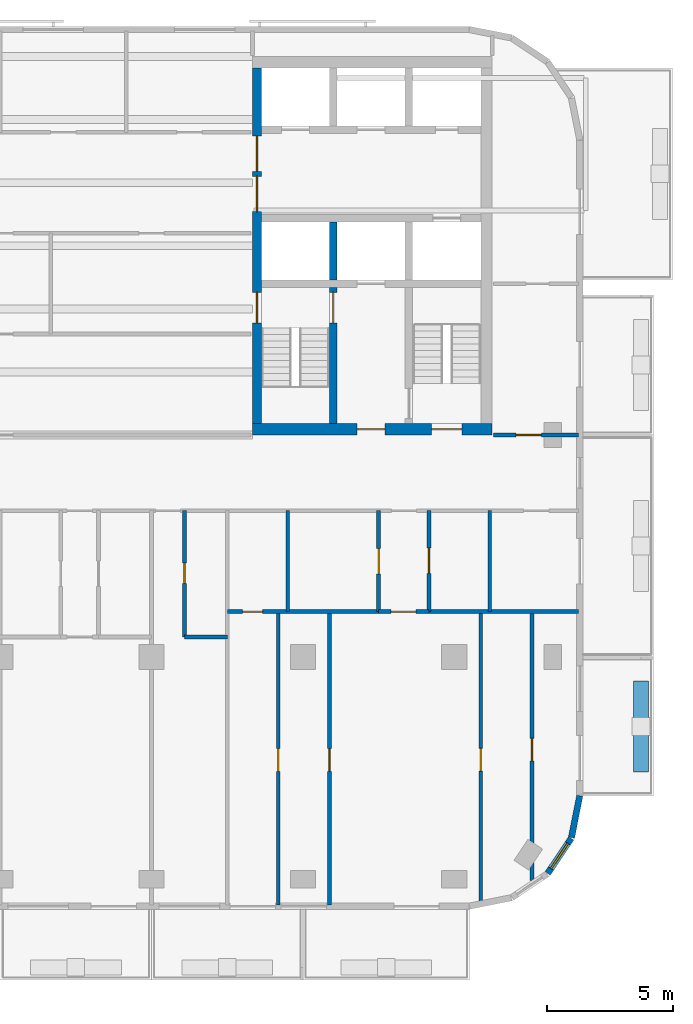
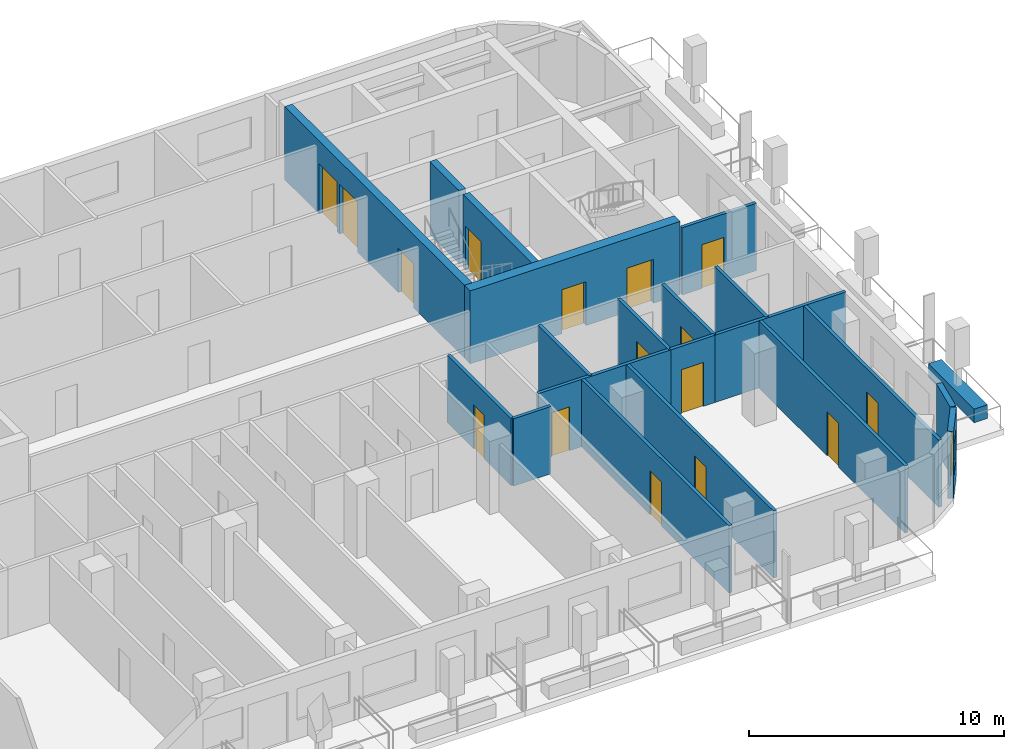
# One storey, part 5 of 11: 21 walls, 16 doors, 1 window, 17 openings.
"""IFC4 building model written with IfcOpenShell, lengths in metres."""

from ifc_helpers import new_model, si_unit, direction, frame, frame_2d, origin, place, context, subcontext, project, spatial, rectangle, extrude, material, layer, layer_set, type_object, element, fill, save


model = new_model("IFC4")

# Units and contexts
model_context = context("Model", 3, precision=1e-05, world=origin(), true_north=direction((0.0, 1.0)))
body_context = subcontext(model_context, "Body", "Model", "MODEL_VIEW")
ifc_project = project(units=[si_unit("LENGTHUNIT", "METRE"), si_unit("AREAUNIT", "SQUARE_METRE"), si_unit("VOLUMEUNIT", "CUBIC_METRE"), si_unit("PLANEANGLEUNIT", "RADIAN"), si_unit("MASSUNIT", "GRAM", prefix="KILO")], contexts=[model_context])

# Site, building, storey
site_placement = place(None, origin())
site = spatial("IfcSite", under=ifc_project, at=site_placement, CompositionType="ELEMENT")
building_placement = place(site_placement, origin())
building = spatial("IfcBuilding", under=site, at=building_placement, Name="Torana Hotel and Residences", CompositionType="ELEMENT")
storey_placement = place(building_placement, frame((0.0, 0.0, 270.10009765625)))
storey = spatial("IfcBuildingStorey", under=building, at=storey_placement, Name="L71", CompositionType="ELEMENT", Elevation=270.10009765625)

# Wall
ifc_material_1 = material(Name="Concrete C60/75", Category="concrete")
ifc_layer_1 = layer(ifc_material_1, 0.300048828125)
ifc_layer_set_1 = layer_set([ifc_layer_1], Name="CORE WALL 300 C60/75")
wall_type_1 = type_object("IfcWallType", Name="CORE WALL 300 C60/75", PredefinedType="SHEAR", material=ifc_layer_set_1)
wall_1_placement = place(storey_placement, frame((13.199951171875, -8.85009765625, 0.0), z_axis=(0.0, 0.0, 1.0), x_axis=(0.0, 1.0, 0.0)))
element("IfcWall", 1, at=wall_1_placement, inside=storey, type_object=wall_type_1, Name="Core wall E x3.05-S", PredefinedType="SHEAR", context=body_context, shape_type="SweptSolid", body=[
    extrude(rectangle(XDim=2.300048828125, YDim=0.300048828125, at=frame_2d((1.14990234375, 0.0))), origin(), (0.0, 0.0, 1.0), 3.5),
])

# Wall, opening, door
wall_2_placement = place(storey_placement, frame((13.199951171875, -14.550048828125, 0.0), z_axis=(0.0, 0.0, 1.0), x_axis=(0.0, 1.0, 0.0)))
wall_2 = element("IfcWall", 2, at=wall_2_placement, inside=storey, type_object=wall_type_1, Name="Core wall E x3.05-band", PredefinedType="SHEAR", context=body_context, shape_type="SweptSolid", body=[
    extrude(rectangle(XDim=5.400146484375, YDim=0.300048828125, at=frame_2d((2.7001953125, 0.0))), origin(), (0.0, 0.0, 1.0), 3.5),
])
opening_1_placement = place(wall_2_placement, frame((4.0, 0.0, 0.0)))
opening_1 = element("IfcOpeningElement", 3, at=opening_1_placement, cuts=wall_2, Name="Opening L71-15", PredefinedType="OPENING", context=body_context, shape_type="SweptSolid", body=[
    extrude(rectangle(XDim=1.199951171875, YDim=2.10009765625, at=frame_2d((0.60009765625, 1.050048828125))), frame((0.0, 0.159912109375, 0.0), z_axis=(0.0, -1.0, 0.0), x_axis=(1.0, 0.0, 0.0)), (0.0, 0.0, 1.0), 0.320068359375),
])
ifc_material_2 = material(Name="Steel S235", Category="steel")
door_type_1 = type_object("IfcDoorType", Name="STAIR FIRE DOOR D3 1200x2100", OperationType="SINGLE_SWING_LEFT", PredefinedType="DOOR", material=ifc_material_2)
door_1_placement = place(opening_1_placement, origin())
door_1 = element("IfcDoor", 4, at=door_1_placement, inside=storey, type_object=door_type_1, Name="Stair-A-lobby door L71", OperationType="SINGLE_SWING_LEFT", OverallHeight=2.10009765625, OverallWidth=1.199951171875, PredefinedType="DOOR", context=body_context, shape_type="SweptSolid", body=[
    extrude(rectangle(XDim=1.199951171875, YDim=2.10009765625, at=frame_2d((0.60009765625, 1.050048828125))), frame((0.0, 0.02490234375, 0.0), z_axis=(0.0, -1.0, 0.0), x_axis=(1.0, 0.0, 0.0)), (0.0, 0.0, 1.0), 0.050048828125),
])
fill(opening_1, door_1)

# Wall, openings, doors
ifc_material_3 = material(Name="Concrete C60/75", Category="concrete")
ifc_layer_2 = layer(ifc_material_3, 0.35009765625)
ifc_layer_set_2 = layer_set([ifc_layer_2], Name="CORE WALL 350 C60/75")
wall_type_2 = type_object("IfcWallType", Name="CORE WALL 350 C60/75", PredefinedType="SHEAR", material=ifc_layer_set_2)
wall_3_placement = place(storey_placement, frame((10.175048828125, -14.550048828125, 0.0), z_axis=(0.0, 0.0, 1.0), x_axis=(0.0, 1.0, 0.0)))
wall_3 = element("IfcWall", 5, at=wall_3_placement, inside=storey, type_object=wall_type_2, Name="Core wall E arch", PredefinedType="SHEAR", context=body_context, shape_type="SweptSolid", body=[
    extrude(rectangle(XDim=14.10009765625, YDim=0.35009765625, at=frame_2d((7.050048828125, 0.0))), origin(), (0.0, 0.0, 1.0), 3.5),
])
opening_2_placement = place(wall_3_placement, frame((8.39990234375, 0.0, 0.0)))
opening_2 = element("IfcOpeningElement", 6, at=opening_2_placement, cuts=wall_3, Name="Opening L71-09", PredefinedType="OPENING", context=body_context, shape_type="SweptSolid", body=[
    extrude(rectangle(XDim=1.39990234375, YDim=2.39990234375, at=frame_2d((0.699951171875, 1.199951171875))), frame((0.0, 0.18505859375, 0.0), z_axis=(0.0, -1.0, 0.0), x_axis=(1.0, 0.0, 0.0)), (0.0, 0.0, 1.0), 0.3701171875),
])
opening_3_placement = place(wall_3_placement, frame((10.0, 0.0, 0.0)))
opening_3 = element("IfcOpeningElement", 7, at=opening_3_placement, cuts=wall_3, Name="Opening L71-10", PredefinedType="OPENING", context=body_context, shape_type="SweptSolid", body=[
    extrude(rectangle(XDim=1.39990234375, YDim=2.39990234375, at=frame_2d((0.699951171875, 1.199951171875))), frame((0.0, 0.18505859375, 0.0), z_axis=(0.0, -1.0, 0.0), x_axis=(1.0, 0.0, 0.0)), (0.0, 0.0, 1.0), 0.3701171875),
])
opening_4_placement = place(wall_3_placement, frame((4.0, 0.0, 0.0)))
opening_4 = element("IfcOpeningElement", 8, at=opening_4_placement, cuts=wall_3, Name="Opening L71-11", PredefinedType="OPENING", context=body_context, shape_type="SweptSolid", body=[
    extrude(rectangle(XDim=1.199951171875, YDim=2.10009765625, at=frame_2d((0.60009765625, 1.050048828125))), frame((0.0, 0.18505859375, 0.0), z_axis=(0.0, -1.0, 0.0), x_axis=(1.0, 0.0, 0.0)), (0.0, 0.0, 1.0), 0.3701171875),
])
ifc_material_4 = material(Name="Steel S235", Category="steel")
door_type_2 = type_object("IfcDoorType", Name="LOBBY FIRE DOOR D4 1400x2400", OperationType="DOUBLE_DOOR_SINGLE_SWING", PredefinedType="DOOR", material=ifc_material_4)
door_2_placement = place(opening_2_placement, origin())
door_2 = element("IfcDoor", 9, at=door_2_placement, inside=storey, type_object=door_type_2, Name="Lobby-1 door L71", OperationType="DOUBLE_DOOR_SINGLE_SWING", OverallHeight=2.39990234375, OverallWidth=1.39990234375, PredefinedType="DOOR", context=body_context, shape_type="SweptSolid", body=[
    extrude(rectangle(XDim=1.39990234375, YDim=2.39990234375, at=frame_2d((0.699951171875, 1.199951171875))), frame((0.0, 0.02490234375, 0.0), z_axis=(0.0, -1.0, 0.0), x_axis=(1.0, 0.0, 0.0)), (0.0, 0.0, 1.0), 0.050048828125),
])
fill(opening_2, door_2)
door_3_placement = place(opening_3_placement, origin())
door_3 = element("IfcDoor", 10, at=door_3_placement, inside=storey, type_object=door_type_2, Name="Lobby-2 door L71", OperationType="DOUBLE_DOOR_SINGLE_SWING", OverallHeight=2.39990234375, OverallWidth=1.39990234375, PredefinedType="DOOR", context=body_context, shape_type="SweptSolid", body=[
    extrude(rectangle(XDim=1.39990234375, YDim=2.39990234375, at=frame_2d((0.699951171875, 1.199951171875))), frame((0.0, 0.02490234375, 0.0), z_axis=(0.0, -1.0, 0.0), x_axis=(1.0, 0.0, 0.0)), (0.0, 0.0, 1.0), 0.050048828125),
])
fill(opening_3, door_3)
door_4_placement = place(opening_4_placement, frame((0.60009765625, 0.0, 0.0), z_axis=(0.0, 0.0, 1.0), x_axis=(-1.0, 0.0, 0.0)))
door_4 = element("IfcDoor", 11, at=door_4_placement, inside=storey, type_object=door_type_1, Name="Stair-A door L71", OperationType="SINGLE_SWING_RIGHT", OverallHeight=2.10009765625, OverallWidth=1.199951171875, PredefinedType="DOOR", context=body_context, shape_type="SweptSolid", body=[
    extrude(rectangle(XDim=1.199951171875, YDim=2.10009765625, at=frame_2d((0.0, 1.050048828125))), frame((0.0, -0.02490234375, 0.0), z_axis=(0.0, 1.0, 0.0), x_axis=(-1.0, 0.0, 0.0)), (0.0, 0.0, 1.0), 0.050048828125),
])
fill(opening_4, door_4)

ifc_material_5 = material(Name="Concrete C60/75", Category="concrete")
ifc_layer_3 = layer(ifc_material_5, 0.449951171875)
ifc_layer_set_3 = layer_set([ifc_layer_3], Name="CORE WALL 450 C60/75")
wall_type_3 = type_object("IfcWallType", Name="CORE WALL 450 C60/75", PredefinedType="SHEAR", material=ifc_layer_set_3)
wall_4_placement = place(storey_placement, frame((10.0, -14.77490234375, 0.0), z_axis=(0.0, 0.0, 1.0), x_axis=(1.0, 0.0, 0.0)))
wall_4 = element("IfcWall", 12, at=wall_4_placement, inside=storey, type_object=wall_type_3, Name="Core wall E front", PredefinedType="SHEAR", context=body_context, shape_type="SweptSolid", body=[
    extrude(rectangle(XDim=9.5, YDim=0.449951171875, at=frame_2d((4.75, 0.0))), origin(), (0.0, 0.0, 1.0), 3.5),
])
opening_5_placement = place(wall_4_placement, frame((7.10009765625, 0.0, 0.0)))
opening_5 = element("IfcOpeningElement", 13, at=opening_5_placement, cuts=wall_4, Name="Opening L71-12", PredefinedType="OPENING", context=body_context, shape_type="SweptSolid", body=[
    extrude(rectangle(XDim=1.199951171875, YDim=2.10009765625, at=frame_2d((0.60009765625, 1.050048828125))), frame((0.0, 0.23486328125, 0.0), z_axis=(0.0, -1.0, 0.0), x_axis=(1.0, 0.0, 0.0)), (0.0, 0.0, 1.0), 0.469970703125),
])
opening_6_placement = place(wall_4_placement, frame((4.14990234375, 0.0, 0.0)))
opening_6 = element("IfcOpeningElement", 14, at=opening_6_placement, cuts=wall_4, Name="Opening L71-13", PredefinedType="OPENING", context=body_context, shape_type="SweptSolid", body=[
    extrude(rectangle(XDim=1.10009765625, YDim=2.10009765625, at=frame_2d((0.550048828125, 1.050048828125))), frame((0.0, 0.23486328125, 0.0), z_axis=(0.0, -1.0, 0.0), x_axis=(1.0, 0.0, 0.0)), (0.0, 0.0, 1.0), 0.469970703125),
])
ifc_material_6 = material(Name="Steel S235", Category="steel")
door_type_3 = type_object("IfcDoorType", Name="FIRE-FIGHTING LOBBY DOOR D8 1100x2100", OperationType="SINGLE_SWING_LEFT", PredefinedType="DOOR", material=ifc_material_6)
door_5_placement = place(opening_6_placement, origin())
door_5 = element("IfcDoor", 15, at=door_5_placement, inside=storey, type_object=door_type_3, Name="FF-lobby door L71", OperationType="SINGLE_SWING_RIGHT", OverallHeight=2.10009765625, OverallWidth=1.10009765625, PredefinedType="DOOR", context=body_context, shape_type="SweptSolid", body=[
    extrude(rectangle(XDim=1.10009765625, YDim=2.10009765625, at=frame_2d((0.550048828125, 1.050048828125))), frame((0.0, 0.02490234375, 0.0), z_axis=(0.0, -1.0, 0.0), x_axis=(1.0, 0.0, 0.0)), (0.0, 0.0, 1.0), 0.050048828125),
])
fill(opening_6, door_5)
door_6_placement = place(opening_5_placement, origin())
door_6 = element("IfcDoor", 16, at=door_6_placement, inside=storey, type_object=door_type_1, Name="Stair-B door L71", OperationType="SINGLE_SWING_RIGHT", OverallHeight=2.10009765625, OverallWidth=1.199951171875, PredefinedType="DOOR", context=body_context, shape_type="SweptSolid", body=[
    extrude(rectangle(XDim=1.199951171875, YDim=2.10009765625, at=frame_2d((0.60009765625, 1.050048828125))), frame((0.0, 0.02490234375, 0.0), z_axis=(0.0, -1.0, 0.0), x_axis=(1.0, 0.0, 0.0)), (0.0, 0.0, 1.0), 0.050048828125),
])
fill(opening_5, door_6)

# Wall, opening, window
ifc_material_7 = material(Name="Black aluminium composite panel", Category="aluminium")
ifc_layer_4 = layer(ifc_material_7, 0.00390625, Name="Cladding", Category="cladding")
ifc_material_8 = material(Name="Ventilated air cavity")
ifc_layer_5 = layer(ifc_material_8, 0.0400390625, Name="Ventilated cavity", Category="cavity")
ifc_material_9 = material(Name="Mineral wool insulation")
ifc_layer_6 = layer(ifc_material_9, 0.090087890625, Name="Insulation", Category="insulation")
ifc_material_10 = material(Name="Steel S280GD", Category="steel")
ifc_layer_7 = layer(ifc_material_10, 0.092041015625, Name="Steel stud frame", Category="structure")
ifc_material_11 = material(Name="Fire rated plasterboard")
ifc_layer_8 = layer(ifc_material_11, 0.011962890625, Name="Inner board", Category="finish")
ifc_layer_9 = layer(ifc_material_11, 0.011962890625, Name="Second board", Category="finish")
ifc_layer_set_4 = layer_set([ifc_layer_4, ifc_layer_5, ifc_layer_6, ifc_layer_7, ifc_layer_8, ifc_layer_9], Name="EW1 EXTERNAL WALL BLACK METAL CLAD 250")
wall_type_4 = type_object("IfcWallType", Name="EW1 EXTERNAL WALL BLACK METAL CLAD 250", PredefinedType="SOLIDWALL", material=ifc_layer_set_4)
wall_5_placement = place(storey_placement, frame((21.705810546875, -32.37109375, 0.0), z_axis=(0.0, 0.0, 1.0), x_axis=(0.55555029066, 0.831482937015, 0.0)))
wall_5 = element("IfcWall", 17, at=wall_5_placement, inside=storey, type_object=wall_type_4, Name="External wall L71 e0.17", PredefinedType="SOLIDWALL", context=body_context, shape_type="SweptSolid", body=[
    extrude(rectangle(XDim=1.65625, YDim=0.25, at=frame_2d((0.828125, 0.0))), origin(), (0.0, 0.0, 1.0), 3.219970703125),
])
opening_7_placement = place(wall_5_placement, frame((0.228271484375, 0.0, 0.89990234375)))
opening_7 = element("IfcOpeningElement", 18, at=opening_7_placement, cuts=wall_5, Name="Opening W5", PredefinedType="OPENING", context=body_context, shape_type="SweptSolid", body=[
    extrude(rectangle(XDim=1.199951171875, YDim=1.5, at=frame_2d((0.60009765625, 0.75))), frame((0.0, 0.135009765625, 0.0), z_axis=(0.0, -1.0, 0.0), x_axis=(1.0, 0.0, 0.0)), (0.0, 0.0, 1.0), 0.27001953125),
])
ifc_material_12 = material(Name="Dark glass in black aluminium frame", Category="aluminium")
window_type = type_object("IfcWindowType", Name="W5 CORNER FACET WINDOW 1200x1500", PartitioningType="SINGLE_PANEL", PredefinedType="WINDOW", material=ifc_material_12)
window_placement = place(opening_7_placement, origin())
window = element("IfcWindow", 19, at=window_placement, inside=storey, type_object=window_type, Name="Window L71 e0.17", OverallHeight=1.5, OverallWidth=1.199951171875, PartitioningType="SINGLE_PANEL", PredefinedType="WINDOW", context=body_context, shape_type="SweptSolid", body=[
    extrude(rectangle(XDim=1.199951171875, YDim=1.5, at=frame_2d((0.60009765625, 0.75))), frame((0.0, 0.030029296875, 0.0), z_axis=(0.0, -1.0, 0.0), x_axis=(1.0, 0.0, 0.0)), (0.0, 0.0, 1.0), 0.06005859375),
])
fill(opening_7, window)

# Wall
wall_6_placement = place(storey_placement, frame((22.64453125, -30.948974609375, 0.0), z_axis=(0.0, 0.0, 1.0), x_axis=(0.19513878023, 0.980775640221, 0.0)))
element("IfcWall", 20, at=wall_6_placement, inside=storey, type_object=wall_type_4, Name="External wall L71 e0.18", PredefinedType="SOLIDWALL", context=body_context, shape_type="SweptSolid", body=[
    extrude(rectangle(XDim=1.681396484375, YDim=0.25, at=frame_2d((0.8408203125, 0.0))), origin(), (0.0, 0.0, 1.0), 3.219970703125),
])

# Wall, opening, door
ifc_material_13 = material(Name="Gypsum plaster")
ifc_layer_10 = layer(ifc_material_13, 0.014892578125, Name="Plaster", Category="finish")
ifc_material_14 = material(Name="Concrete blockwork", Category="masonry")
ifc_layer_11 = layer(ifc_material_14, 0.1201171875, Name="Blockwork", Category="structure")
ifc_layer_12 = layer(ifc_material_13, 0.014892578125, Name="Plaster", Category="finish")
ifc_layer_set_5 = layer_set([ifc_layer_10, ifc_layer_11, ifc_layer_12], Name="FIRE PARTITION 150 BLOCKWORK")
wall_type_5 = type_object("IfcWallType", Name="FIRE PARTITION 150 BLOCKWORK", PredefinedType="PARTITIONING", material=ifc_layer_set_5)
wall_7_placement = place(storey_placement, frame((17.0, -22.0, 0.0), z_axis=(0.0, 0.0, 1.0), x_axis=(0.0, 1.0, 0.0)))
wall_7 = element("IfcWall", 21, at=wall_7_placement, inside=storey, type_object=wall_type_5, Name="Partition L71", PredefinedType="PARTITIONING", context=body_context, shape_type="SweptSolid", body=[
    extrude(rectangle(XDim=4.0, YDim=0.14990234375, at=frame_2d((2.0, 0.0))), origin(), (0.0, 0.0, 1.0), 3.219970703125),
])
opening_8_placement = place(wall_7_placement, frame((1.52001953125, 0.0, 0.0)))
opening_8 = element("IfcOpeningElement", 22, at=opening_8_placement, cuts=wall_7, Name="Opening L71-55", PredefinedType="OPENING", context=body_context, shape_type="SweptSolid", body=[
    extrude(rectangle(XDim=1.0, YDim=2.10009765625, at=frame_2d((0.5, 1.050048828125))), frame((0.0, 0.0849609375, 0.0), z_axis=(0.0, -1.0, 0.0), x_axis=(1.0, 0.0, 0.0)), (0.0, 0.0, 1.0), 0.169921875),
])
ifc_material_15 = material(Name="Steel S235", Category="steel")
door_type_4 = type_object("IfcDoorType", Name="ENTRY FIRE DOOR D6 1000x2100", OperationType="SINGLE_SWING_LEFT", PredefinedType="DOOR", material=ifc_material_15)
door_7_placement = place(opening_8_placement, frame((0.5, 0.0, 0.0), z_axis=(0.0, 0.0, 1.0), x_axis=(-1.0, 0.0, 0.0)))
door_7 = element("IfcDoor", 23, at=door_7_placement, inside=storey, type_object=door_type_4, Name="Door L71", OperationType="SINGLE_SWING_LEFT", OverallHeight=2.10009765625, OverallWidth=1.0, PredefinedType="DOOR", context=body_context, shape_type="SweptSolid", body=[
    extrude(rectangle(XDim=1.0, YDim=2.10009765625, at=frame_2d((0.0, 1.050048828125))), frame((0.0, -0.02490234375, 0.0), z_axis=(0.0, 1.0, 0.0), x_axis=(-1.0, 0.0, 0.0)), (0.0, 0.0, 1.0), 0.050048828125),
])
fill(opening_8, door_7)

wall_8_placement = place(storey_placement, frame((15.0, -22.0, 0.0), z_axis=(0.0, 0.0, 1.0), x_axis=(0.0, 1.0, 0.0)))
wall_8 = element("IfcWall", 24, at=wall_8_placement, inside=storey, type_object=wall_type_5, Name="Partition L71", PredefinedType="PARTITIONING", context=body_context, shape_type="SweptSolid", body=[
    extrude(rectangle(XDim=4.0, YDim=0.14990234375, at=frame_2d((2.0, 0.0))), origin(), (0.0, 0.0, 1.0), 3.219970703125),
])
opening_9_placement = place(wall_8_placement, frame((1.5, 0.0, 0.0)))
opening_9 = element("IfcOpeningElement", 25, at=opening_9_placement, cuts=wall_8, Name="Opening L71-54", PredefinedType="OPENING", context=body_context, shape_type="SweptSolid", body=[
    extrude(rectangle(XDim=1.0, YDim=2.10009765625, at=frame_2d((0.5, 1.050048828125))), frame((0.0, 0.0849609375, 0.0), z_axis=(0.0, -1.0, 0.0), x_axis=(1.0, 0.0, 0.0)), (0.0, 0.0, 1.0), 0.169921875),
])
door_8_placement = place(opening_9_placement, origin())
door_8 = element("IfcDoor", 26, at=door_8_placement, inside=storey, type_object=door_type_4, Name="Door L71", OperationType="SINGLE_SWING_RIGHT", OverallHeight=2.10009765625, OverallWidth=1.0, PredefinedType="DOOR", context=body_context, shape_type="SweptSolid", body=[
    extrude(rectangle(XDim=1.0, YDim=2.10009765625, at=frame_2d((0.5, 1.050048828125))), frame((0.0, 0.02490234375, 0.0), z_axis=(0.0, -1.0, 0.0), x_axis=(1.0, 0.0, 0.0)), (0.0, 0.0, 1.0), 0.050048828125),
])
fill(opening_9, door_8)

wall_9_placement = place(storey_placement, frame((15.0, -22.0, 0.0), z_axis=(0.0, 0.0, 1.0), x_axis=(1.0, 0.0, 0.0)))
wall_9 = element("IfcWall", 27, at=wall_9_placement, inside=storey, type_object=wall_type_5, Name="Partition L71", PredefinedType="PARTITIONING", context=body_context, shape_type="SweptSolid", body=[
    extrude(rectangle(XDim=2.0, YDim=0.14990234375, at=frame_2d((1.0, 0.0))), origin(), (0.0, 0.0, 1.0), 3.219970703125),
])
opening_10_placement = place(wall_9_placement, frame((0.47998046875, 0.0, 0.0)))
opening_10 = element("IfcOpeningElement", 28, at=opening_10_placement, cuts=wall_9, Name="Opening L71-56", PredefinedType="OPENING", context=body_context, shape_type="SweptSolid", body=[
    extrude(rectangle(XDim=1.0, YDim=2.10009765625, at=frame_2d((0.5, 1.050048828125))), frame((0.0, 0.0849609375, 0.0), z_axis=(0.0, -1.0, 0.0), x_axis=(1.0, 0.0, 0.0)), (0.0, 0.0, 1.0), 0.169921875),
])
door_9_placement = place(opening_10_placement, frame((0.5, 0.0, 0.0), z_axis=(0.0, 0.0, 1.0), x_axis=(-1.0, 0.0, 0.0)))
door_9 = element("IfcDoor", 29, at=door_9_placement, inside=storey, type_object=door_type_4, Name="Door L71", OperationType="SINGLE_SWING_LEFT", OverallHeight=2.10009765625, OverallWidth=1.0, PredefinedType="DOOR", context=body_context, shape_type="SweptSolid", body=[
    extrude(rectangle(XDim=1.0, YDim=2.10009765625, at=frame_2d((0.0, 1.050048828125))), frame((0.0, -0.02490234375, 0.0), z_axis=(0.0, 1.0, 0.0), x_axis=(-1.0, 0.0, 0.0)), (0.0, 0.0, 1.0), 0.050048828125),
])
fill(opening_10, door_9)

wall_10_placement = place(storey_placement, frame((19.550048828125, -15.0, 0.0), z_axis=(0.0, 0.0, 1.0), x_axis=(1.0, 0.0, 0.0)))
wall_10 = element("IfcWall", 30, at=wall_10_placement, inside=storey, type_object=wall_type_5, Name="Partition L71", PredefinedType="PARTITIONING", context=body_context, shape_type="SweptSolid", body=[
    extrude(rectangle(XDim=3.369873046875, YDim=0.14990234375, at=frame_2d((1.68505859375, 0.0))), origin(), (0.0, 0.0, 1.0), 3.219970703125),
])
opening_11_placement = place(wall_10_placement, frame((0.89990234375, 0.0, 0.0)))
opening_11 = element("IfcOpeningElement", 31, at=opening_11_placement, cuts=wall_10, Name="Opening L71-28", PredefinedType="OPENING", context=body_context, shape_type="SweptSolid", body=[
    extrude(rectangle(XDim=1.0, YDim=2.10009765625, at=frame_2d((0.5, 1.050048828125))), frame((0.0, 0.0849609375, 0.0), z_axis=(0.0, -1.0, 0.0), x_axis=(1.0, 0.0, 0.0)), (0.0, 0.0, 1.0), 0.169921875),
])
ifc_material_16 = material(Name="Steel S235", Category="steel")
door_type_5 = type_object("IfcDoorType", Name="CORE ROOM FIRE DOOR D14 1000x2100", OperationType="SINGLE_SWING_LEFT", PredefinedType="DOOR", material=ifc_material_16)
door_10_placement = place(opening_11_placement, origin())
door_10 = element("IfcDoor", 32, at=door_10_placement, inside=storey, type_object=door_type_5, Name="Door L71", OperationType="SINGLE_SWING_LEFT", OverallHeight=2.10009765625, OverallWidth=1.0, PredefinedType="DOOR", context=body_context, shape_type="SweptSolid", body=[
    extrude(rectangle(XDim=1.0, YDim=2.10009765625, at=frame_2d((0.5, 1.050048828125))), frame((0.0, 0.02490234375, 0.0), z_axis=(0.0, -1.0, 0.0), x_axis=(1.0, 0.0, 0.0)), (0.0, 0.0, 1.0), 0.050048828125),
])
fill(opening_11, door_10)

ifc_material_17 = material(Name="Gypsum plasterboard")
ifc_layer_13 = layer(ifc_material_17, 0.012451171875, Name="Plasterboard", Category="finish")
ifc_layer_14 = layer(ifc_material_17, 0.012451171875, Name="Plasterboard", Category="finish")
ifc_layer_15 = layer(ifc_material_10, 0.10009765625, Name="Steel studs with mineral wool", Category="insulation")
ifc_layer_16 = layer(ifc_material_17, 0.012451171875, Name="Plasterboard", Category="finish")
ifc_layer_17 = layer(ifc_material_17, 0.012451171875, Name="Plasterboard", Category="finish")
ifc_layer_set_6 = layer_set([ifc_layer_13, ifc_layer_14, ifc_layer_15, ifc_layer_16, ifc_layer_17], Name="PARTITION 150 PLASTERBOARD")
wall_type_6 = type_object("IfcWallType", Name="PARTITION 150 PLASTERBOARD", PredefinedType="PARTITIONING", material=ifc_layer_set_6)
wall_11_placement = place(storey_placement, frame((21.074951171875, -32.665771484375, 0.0), z_axis=(0.0, 0.0, 1.0), x_axis=(0.0, 1.0, 0.0)))
wall_11 = element("IfcWall", 33, at=wall_11_placement, inside=storey, type_object=wall_type_6, Name="Partition L71", PredefinedType="PARTITIONING", context=body_context, shape_type="SweptSolid", body=[
    extrude(rectangle(XDim=10.665771484375, YDim=0.14990234375, at=frame_2d((5.3330078125, 0.0))), origin(), (0.0, 0.0, 1.0), 3.219970703125),
])
opening_12_placement = place(wall_11_placement, frame((4.745849609375, 0.0, 0.0)))
opening_12 = element("IfcOpeningElement", 34, at=opening_12_placement, cuts=wall_11, Name="Opening L71-60", PredefinedType="OPENING", context=body_context, shape_type="SweptSolid", body=[
    extrude(rectangle(XDim=0.89990234375, YDim=2.10009765625, at=frame_2d((0.449951171875, 1.050048828125))), frame((0.0, 0.0849609375, 0.0), z_axis=(0.0, -1.0, 0.0), x_axis=(1.0, 0.0, 0.0)), (0.0, 0.0, 1.0), 0.169921875),
])
ifc_material_18 = material(Name="Timber door, oiled ash", Category="wood")
door_type_6 = type_object("IfcDoorType", Name="ROOM DOOR D7 900x2100", OperationType="SINGLE_SWING_LEFT", PredefinedType="DOOR", material=ifc_material_18)
door_11_placement = place(opening_12_placement, origin())
door_11 = element("IfcDoor", 35, at=door_11_placement, inside=storey, type_object=door_type_6, Name="Door L71", OperationType="SINGLE_SWING_RIGHT", OverallHeight=2.10009765625, OverallWidth=0.89990234375, PredefinedType="DOOR", context=body_context, shape_type="SweptSolid", body=[
    extrude(rectangle(XDim=0.89990234375, YDim=2.10009765625, at=frame_2d((0.449951171875, 1.050048828125))), frame((0.0, 0.02490234375, 0.0), z_axis=(0.0, -1.0, 0.0), x_axis=(1.0, 0.0, 0.0)), (0.0, 0.0, 1.0), 0.050048828125),
])
fill(opening_12, door_11)

# Wall
wall_12_placement = place(storey_placement, frame((19.39990234375, -22.0, 0.0), z_axis=(0.0, 0.0, 1.0), x_axis=(0.0, 1.0, 0.0)))
element("IfcWall", 36, at=wall_12_placement, inside=storey, type_object=wall_type_6, Name="Partition L71", PredefinedType="PARTITIONING", context=body_context, shape_type="SweptSolid", body=[
    extrude(rectangle(XDim=4.0, YDim=0.14990234375, at=frame_2d((2.0, 0.0))), origin(), (0.0, 0.0, 1.0), 3.219970703125),
])

# Wall, opening, door
wall_13_placement = place(storey_placement, frame((19.050048828125, -33.527099609375, 0.0), z_axis=(0.0, 0.0, 1.0), x_axis=(0.0, 1.0, 0.0)))
wall_13 = element("IfcWall", 37, at=wall_13_placement, inside=storey, type_object=wall_type_6, Name="Partition L71", PredefinedType="PARTITIONING", context=body_context, shape_type="SweptSolid", body=[
    extrude(rectangle(XDim=11.527099609375, YDim=0.14990234375, at=frame_2d((5.763671875, 0.0))), origin(), (0.0, 0.0, 1.0), 3.219970703125),
])
opening_13_placement = place(wall_13_placement, frame((5.20703125, 0.0, 0.0)))
opening_13 = element("IfcOpeningElement", 38, at=opening_13_placement, cuts=wall_13, Name="Opening L71-58", PredefinedType="OPENING", context=body_context, shape_type="SweptSolid", body=[
    extrude(rectangle(XDim=0.89990234375, YDim=2.10009765625, at=frame_2d((0.449951171875, 1.050048828125))), frame((0.0, 0.0849609375, 0.0), z_axis=(0.0, -1.0, 0.0), x_axis=(1.0, 0.0, 0.0)), (0.0, 0.0, 1.0), 0.169921875),
])
door_12_placement = place(opening_13_placement, origin())
door_12 = element("IfcDoor", 39, at=door_12_placement, inside=storey, type_object=door_type_6, Name="Door L71", OperationType="SINGLE_SWING_RIGHT", OverallHeight=2.10009765625, OverallWidth=0.89990234375, PredefinedType="DOOR", context=body_context, shape_type="SweptSolid", body=[
    extrude(rectangle(XDim=0.89990234375, YDim=2.10009765625, at=frame_2d((0.449951171875, 1.050048828125))), frame((0.0, 0.02490234375, 0.0), z_axis=(0.0, -1.0, 0.0), x_axis=(1.0, 0.0, 0.0)), (0.0, 0.0, 1.0), 0.050048828125),
])
fill(opening_13, door_12)

wall_14_placement = place(storey_placement, frame((13.050048828125, -33.6201171875, 0.0), z_axis=(0.0, 0.0, 1.0), x_axis=(0.0, 1.0, 0.0)))
wall_14 = element("IfcWall", 40, at=wall_14_placement, inside=storey, type_object=wall_type_6, Name="Partition L71", PredefinedType="PARTITIONING", context=body_context, shape_type="SweptSolid", body=[
    extrude(rectangle(XDim=11.6201171875, YDim=0.14990234375, at=frame_2d((5.81005859375, 0.0))), origin(), (0.0, 0.0, 1.0), 3.219970703125),
])
opening_14_placement = place(wall_14_placement, frame((5.2900390625, 0.0, 0.0)))
opening_14 = element("IfcOpeningElement", 41, at=opening_14_placement, cuts=wall_14, Name="Opening L71-57", PredefinedType="OPENING", context=body_context, shape_type="SweptSolid", body=[
    extrude(rectangle(XDim=0.89990234375, YDim=2.10009765625, at=frame_2d((0.449951171875, 1.050048828125))), frame((0.0, 0.0849609375, 0.0), z_axis=(0.0, -1.0, 0.0), x_axis=(1.0, 0.0, 0.0)), (0.0, 0.0, 1.0), 0.169921875),
])
door_13_placement = place(opening_14_placement, origin())
door_13 = element("IfcDoor", 42, at=door_13_placement, inside=storey, type_object=door_type_6, Name="Door L71", OperationType="SINGLE_SWING_RIGHT", OverallHeight=2.10009765625, OverallWidth=0.89990234375, PredefinedType="DOOR", context=body_context, shape_type="SweptSolid", body=[
    extrude(rectangle(XDim=0.89990234375, YDim=2.10009765625, at=frame_2d((0.449951171875, 1.050048828125))), frame((0.0, 0.02490234375, 0.0), z_axis=(0.0, -1.0, 0.0), x_axis=(1.0, 0.0, 0.0)), (0.0, 0.0, 1.0), 0.050048828125),
])
fill(opening_14, door_13)

# Wall
wall_15_placement = place(storey_placement, frame((11.39990234375, -22.0, 0.0), z_axis=(0.0, 0.0, 1.0), x_axis=(0.0, 1.0, 0.0)))
element("IfcWall", 43, at=wall_15_placement, inside=storey, type_object=wall_type_6, Name="Partition L71", PredefinedType="PARTITIONING", context=body_context, shape_type="SweptSolid", body=[
    extrude(rectangle(XDim=4.0, YDim=0.14990234375, at=frame_2d((2.0, 0.0))), origin(), (0.0, 0.0, 1.0), 3.219970703125),
])

# Wall, opening, door
wall_16_placement = place(storey_placement, frame((11.02490234375, -33.6201171875, 0.0), z_axis=(0.0, 0.0, 1.0), x_axis=(0.0, 1.0, 0.0)))
wall_16 = element("IfcWall", 44, at=wall_16_placement, inside=storey, type_object=wall_type_6, Name="Partition L71", PredefinedType="PARTITIONING", context=body_context, shape_type="SweptSolid", body=[
    extrude(rectangle(XDim=11.6201171875, YDim=0.14990234375, at=frame_2d((5.81005859375, 0.0))), origin(), (0.0, 0.0, 1.0), 3.219970703125),
])
opening_15_placement = place(wall_16_placement, frame((5.2900390625, 0.0, 0.0)))
opening_15 = element("IfcOpeningElement", 45, at=opening_15_placement, cuts=wall_16, Name="Opening L71-59", PredefinedType="OPENING", context=body_context, shape_type="SweptSolid", body=[
    extrude(rectangle(XDim=0.89990234375, YDim=2.10009765625, at=frame_2d((0.449951171875, 1.050048828125))), frame((0.0, 0.0849609375, 0.0), z_axis=(0.0, -1.0, 0.0), x_axis=(1.0, 0.0, 0.0)), (0.0, 0.0, 1.0), 0.169921875),
])
door_14_placement = place(opening_15_placement, origin())
door_14 = element("IfcDoor", 46, at=door_14_placement, inside=storey, type_object=door_type_6, Name="Door L71", OperationType="SINGLE_SWING_RIGHT", OverallHeight=2.10009765625, OverallWidth=0.89990234375, PredefinedType="DOOR", context=body_context, shape_type="SweptSolid", body=[
    extrude(rectangle(XDim=0.89990234375, YDim=2.10009765625, at=frame_2d((0.449951171875, 1.050048828125))), frame((0.0, 0.02490234375, 0.0), z_axis=(0.0, -1.0, 0.0), x_axis=(1.0, 0.0, 0.0)), (0.0, 0.0, 1.0), 0.050048828125),
])
fill(opening_15, door_14)

wall_17_placement = place(storey_placement, frame((7.300048828125, -23.0, 0.0), z_axis=(0.0, 0.0, 1.0), x_axis=(0.0, 1.0, 0.0)))
wall_17 = element("IfcWall", 47, at=wall_17_placement, inside=storey, type_object=wall_type_6, Name="Partition L71", PredefinedType="PARTITIONING", context=body_context, shape_type="SweptSolid", body=[
    extrude(rectangle(XDim=5.0, YDim=0.14990234375, at=frame_2d((2.5, 0.0))), origin(), (0.0, 0.0, 1.0), 3.219970703125),
])
opening_16_placement = place(wall_17_placement, frame((2.1201171875, 0.0, 0.0)))
opening_16 = element("IfcOpeningElement", 48, at=opening_16_placement, cuts=wall_17, Name="Opening L71-44", PredefinedType="OPENING", context=body_context, shape_type="SweptSolid", body=[
    extrude(rectangle(XDim=0.800048828125, YDim=2.10009765625, at=frame_2d((0.39990234375, 1.050048828125))), frame((0.0, 0.0849609375, 0.0), z_axis=(0.0, -1.0, 0.0), x_axis=(1.0, 0.0, 0.0)), (0.0, 0.0, 1.0), 0.169921875),
])
ifc_material_19 = material(Name="Timber door, painted", Category="wood")
door_type_7 = type_object("IfcDoorType", Name="BATH DOOR D13 800x2100", OperationType="SINGLE_SWING_LEFT", PredefinedType="DOOR", material=ifc_material_19)
door_15_placement = place(opening_16_placement, origin())
door_15 = element("IfcDoor", 49, at=door_15_placement, inside=storey, type_object=door_type_7, Name="Door L71", OperationType="SINGLE_SWING_RIGHT", OverallHeight=2.10009765625, OverallWidth=0.800048828125, PredefinedType="DOOR", context=body_context, shape_type="SweptSolid", body=[
    extrude(rectangle(XDim=0.800048828125, YDim=2.10009765625, at=frame_2d((0.39990234375, 1.050048828125))), frame((0.0, 0.02490234375, 0.0), z_axis=(0.0, -1.0, 0.0), x_axis=(1.0, 0.0, 0.0)), (0.0, 0.0, 1.0), 0.050048828125),
])
fill(opening_16, door_15)

# Wall
wall_18_placement = place(storey_placement, frame((7.300048828125, -23.0, 0.0), z_axis=(0.0, 0.0, 1.0), x_axis=(1.0, 0.0, 0.0)))
element("IfcWall", 50, at=wall_18_placement, inside=storey, type_object=wall_type_6, Name="Partition L71", PredefinedType="PARTITIONING", context=body_context, shape_type="SweptSolid", body=[
    extrude(rectangle(XDim=1.699951171875, YDim=0.14990234375, at=frame_2d((0.85009765625, 0.0))), origin(), (0.0, 0.0, 1.0), 3.219970703125),
])

# Wall, opening, door
wall_19_placement = place(storey_placement, frame((9.0, -22.0, 0.0), z_axis=(0.0, 0.0, 1.0), x_axis=(1.0, 0.0, 0.0)))
wall_19 = element("IfcWall", 51, at=wall_19_placement, inside=storey, type_object=wall_type_6, Name="Partition L71", PredefinedType="PARTITIONING", context=body_context, shape_type="SweptSolid", body=[
    extrude(rectangle(XDim=6.0, YDim=0.14990234375, at=frame_2d((3.0, 0.0))), origin(), (0.0, 0.0, 1.0), 3.219970703125),
])
opening_17_placement = place(wall_19_placement, frame((0.60498046875, 0.0, 0.0)))
opening_17 = element("IfcOpeningElement", 52, at=opening_17_placement, cuts=wall_19, Name="Opening L71-53", PredefinedType="OPENING", context=body_context, shape_type="SweptSolid", body=[
    extrude(rectangle(XDim=0.800048828125, YDim=2.10009765625, at=frame_2d((0.39990234375, 1.050048828125))), frame((0.0, 0.0849609375, 0.0), z_axis=(0.0, -1.0, 0.0), x_axis=(1.0, 0.0, 0.0)), (0.0, 0.0, 1.0), 0.169921875),
])
door_16_placement = place(opening_17_placement, origin())
door_16 = element("IfcDoor", 53, at=door_16_placement, inside=storey, type_object=door_type_7, Name="Door L71", OperationType="SINGLE_SWING_RIGHT", OverallHeight=2.10009765625, OverallWidth=0.800048828125, PredefinedType="DOOR", context=body_context, shape_type="SweptSolid", body=[
    extrude(rectangle(XDim=0.800048828125, YDim=2.10009765625, at=frame_2d((0.39990234375, 1.050048828125))), frame((0.0, 0.02490234375, 0.0), z_axis=(0.0, -1.0, 0.0), x_axis=(1.0, 0.0, 0.0)), (0.0, 0.0, 1.0), 0.050048828125),
])
fill(opening_17, door_16)

# Walls
wall_20_placement = place(storey_placement, frame((17.0, -22.0, 0.0), z_axis=(0.0, 0.0, 1.0), x_axis=(1.0, 0.0, 0.0)))
element("IfcWall", 54, at=wall_20_placement, inside=storey, type_object=wall_type_6, Name="Partition L71", PredefinedType="PARTITIONING", context=body_context, shape_type="SweptSolid", body=[
    extrude(rectangle(XDim=5.919921875, YDim=0.14990234375, at=frame_2d((2.9599609375, 0.0))), origin(), (0.0, 0.0, 1.0), 3.219970703125),
])
ifc_material_20 = material(Name="Concrete C40/50 precast", Category="concrete")
ifc_layer_18 = layer(ifc_material_20, 0.10009765625, Name="Planter shell", Category="structure")
ifc_material_21 = material(Name="Root resistant membrane")
ifc_layer_19 = layer(ifc_material_21, 0.00390625, Name="Waterproofing membrane", Category="membrane")
ifc_material_22 = material(Name="Drainage board with filter fleece")
ifc_layer_20 = layer(ifc_material_22, 0.02001953125, Name="Drainage board", Category="drainage")
ifc_material_23 = material(Name="Growing medium")
ifc_layer_21 = layer(ifc_material_23, 0.47607421875, Name="Planting substrate", Category="soil")
ifc_layer_set_7 = layer_set([ifc_layer_18, ifc_layer_19, ifc_layer_20, ifc_layer_21], Name="PL1 BALCONY PLANTER 600")
wall_type_7 = type_object("IfcWallType", Name="PL1 BALCONY PLANTER 600", PredefinedType="USERDEFINED", material=ifc_layer_set_7)
wall_21_placement = place(storey_placement, frame((25.39990234375, -24.75, 0.0), z_axis=(0.0, 0.0, 1.0), x_axis=(0.0, -1.0, 0.0)))
element("IfcWall", 55, at=wall_21_placement, inside=storey, type_object=wall_type_7, Name="Planter 11", ObjectType="PLANTER", PredefinedType="USERDEFINED", context=body_context, shape_type="SweptSolid", body=[
    extrude(rectangle(XDim=3.60009765625, YDim=0.60009765625, at=frame_2d((1.800048828125, 0.0))), origin(), (0.0, 0.0, 1.0), 0.64990234375),
])

save(model, "model.ifc")
